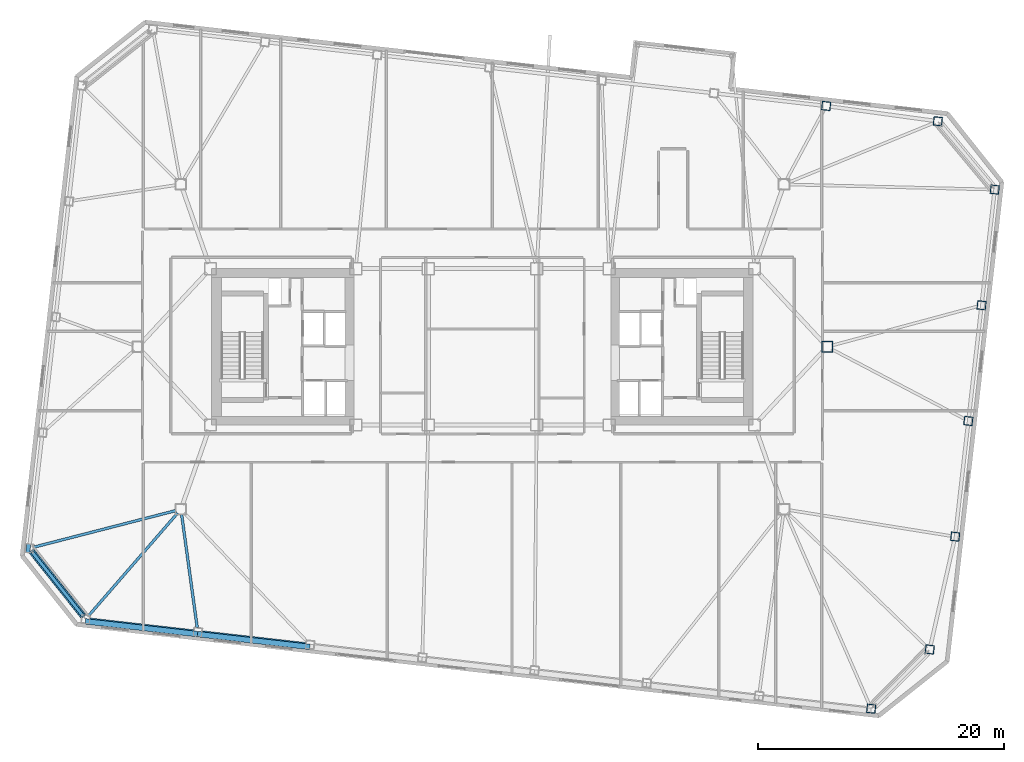
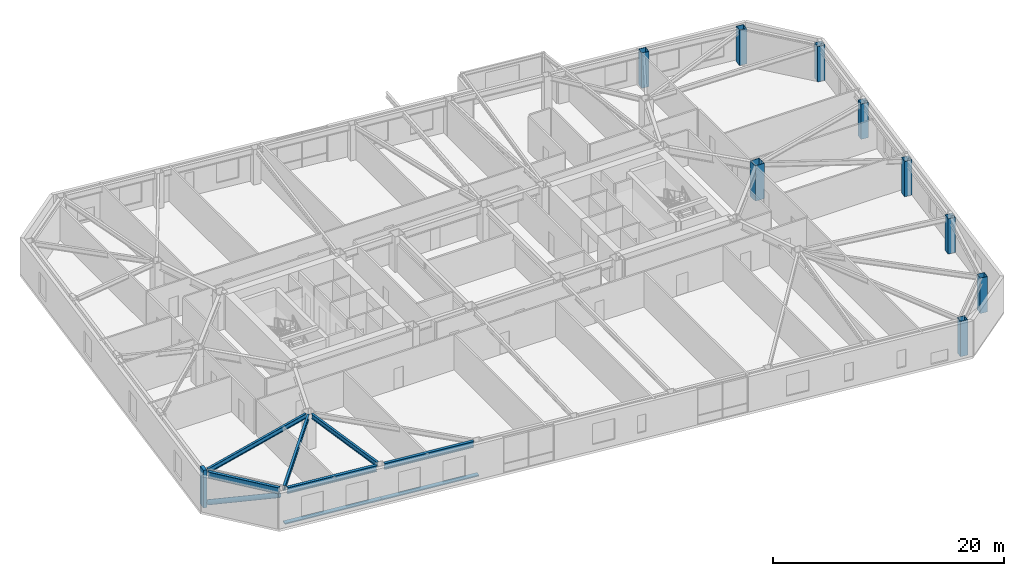
# One storey, part 3 of 21: 9 columns, 6 beams, 4 members.
"""IFC4 building model written with IfcOpenShell, lengths in metres."""

from ifc_helpers import new_model, si_unit, direction, frame, origin, origin_2d, place, context, subcontext, project, spatial, rectangle, hollow_rectangle, hollow_circle, i_section, extrude, material, material_profile, profile_set, type_object, element, save


model = new_model("IFC4")

# Units and contexts
model_context = context("Model", 3, precision=1e-05, world=origin(), true_north=direction((0.0, 1.0)))
body_context = subcontext(model_context, "Body", "Model", "MODEL_VIEW")
ifc_project = project(units=[si_unit("LENGTHUNIT", "METRE"), si_unit("AREAUNIT", "SQUARE_METRE"), si_unit("VOLUMEUNIT", "CUBIC_METRE"), si_unit("PLANEANGLEUNIT", "RADIAN"), si_unit("MASSUNIT", "GRAM", prefix="KILO")], contexts=[model_context])

# Site, building, storey
site_placement = place(None, origin())
site = spatial("IfcSite", under=ifc_project, at=site_placement, CompositionType="ELEMENT")
building_placement = place(site_placement, origin())
building = spatial("IfcBuilding", under=site, at=building_placement, Name="Tavrogorsk Clinical Tower", CompositionType="ELEMENT")
storey_placement = place(building_placement, frame((0.0, 0.0, 121.39990234375)))
storey = spatial("IfcBuildingStorey", under=building, at=storey_placement, Name="L27", CompositionType="ELEMENT", Elevation=121.39990234375)

# Columns
ifc_material_1 = material(Name="Structural steel S440", Category="steel")
ifc_material_profile_1 = material_profile(ifc_material_1, hollow_rectangle(XDim=0.89990234375, YDim=0.89990234375, WallThickness=0.0400390625, at=origin_2d()), Name="BOX-900x900x40")
ifc_profile_set_1 = profile_set([ifc_material_profile_1], Name="Structural steel S440")
column_type_1 = type_object("IfcColumnType", Name="MegaCol_BOX900", PredefinedType="COLUMN", material=ifc_profile_set_1)
column_placement = place(storey_placement, frame((28.0, 0.0, 0.0), z_axis=(0.0, 0.0, 1.0), x_axis=(1.0, 0.0, 0.0)))
element("IfcColumn", 1, at=column_placement, inside=storey, type_object=column_type_1, Name="L27 Spine Pilotis Column MC-P6", PredefinedType="COLUMN", context=body_context, shape_type="SweptSolid", body=[
    extrude(hollow_rectangle(XDim=0.89990234375, YDim=0.89990234375, WallThickness=0.0400390625, at=origin_2d()), origin(), (0.0, 0.0, 1.0), 3.739990234375),
])
ifc_material_2 = material(Name="Structural steel S440", Category="steel")
ifc_material_profile_2 = material_profile(ifc_material_2, hollow_rectangle(XDim=0.699951171875, YDim=0.699951171875, WallThickness=0.031982421875, at=origin_2d()), Name="BOX-700x700x32")
ifc_profile_set_2 = profile_set([ifc_material_profile_2], Name="Structural steel S440")
column_type_2 = type_object("IfcColumnType", Name="PerimCol_B2_BOX700", PredefinedType="COLUMN", material=ifc_profile_set_2)
for number, where, z_axis, x_axis, name in (
    (2, (31.5830078125, -29.40087890625, 0.0), (0.0, 0.0, 1.0), (0.993571855677, -0.113203213768, 0.0), "L27 Perimeter Column S8"),
    (3, (36.99658203125, 18.323486328125, 0.0), (0.0, 0.0, 1.0), (0.993571855677, -0.113203213768, 0.0), "L27 Perimeter Column N1"),
    (4, (27.92578125, 19.567626953125, 0.0), (0.0, 0.0, 1.0), (0.993571855677, -0.113203213768, 0.0), "L27 Perimeter Column N2"),
    (5, (36.335693359375, -24.591796875, 0.0), (0.0, 0.0, 1.0), (0.993571855677, -0.113203213768, 0.0), "L27 Perimeter Column E1"),
    (6, (38.4091796875, -15.423828125, 0.0), (0.0, 0.0, 1.0), (0.993571855677, -0.113203213768, 0.0), "L27 Perimeter Column E2"),
    (7, (39.47998046875, -6.024658203125, 0.0), (0.0, 0.0, 1.0), (0.993571855677, -0.113203213768, 0.0), "L27 Perimeter Column E3"),
    (8, (40.551025390625, 3.37451171875, 0.0), (0.0, 0.0, 1.0), (0.993571855677, -0.113203213768, 0.0), "L27 Perimeter Column E4"),
    (9, (41.621826171875, 12.773681640625, 0.0), (0.0, 0.0, 1.0), (0.993571855677, -0.113203213768, 0.0), "L27 Perimeter Column E5"),
):
    element("IfcColumn", number, at=place(storey_placement, frame(where, z_axis=z_axis, x_axis=x_axis)), inside=storey, type_object=column_type_2, Name=name, PredefinedType="COLUMN", context=body_context, shape_type="SweptSolid", body=[
        extrude(hollow_rectangle(XDim=0.699951171875, YDim=0.699951171875, WallThickness=0.031982421875, at=origin_2d()), origin(), (0.0, 0.0, 1.0), 3.739990234375),
    ])

# Members
ifc_material_3 = material(Name="Anodised aluminium alloy AW-6063", Category="aluminium")
ifc_material_profile_3 = material_profile(ifc_material_3, rectangle(XDim=0.449951171875, YDim=0.1201171875, at=origin_2d()), Name="ALU-SUNSHADE-450x120")
ifc_profile_set_3 = profile_set([ifc_material_profile_3], Name="Anodised aluminium alloy AW-6063")
member_type_1 = type_object("IfcMemberType", Name="ChicagoSunshade_450x120", PredefinedType="USERDEFINED", material=ifc_profile_set_3)
for number, where, z_axis, x_axis, name in (
    (10, (-32.264404296875, -22.3076171875, 0.18017578125), (0.993572654864, -0.113196199166, 0.0), (0.113196199166, 0.993572654864, 0.0), "L27 South Aluminium Sunshade S1"),
    (11, (-23.146240234375, -23.346435546875, 0.18017578125), (0.993569662511, -0.113222461274, 0.0), (0.113222461274, 0.993569662511, 0.0), "L27 South Aluminium Sunshade S2"),
):
    element("IfcMember", number, at=place(storey_placement, frame(where, z_axis=z_axis, x_axis=x_axis)), inside=storey, type_object=member_type_1, Name=name, ObjectType="SUNSHADE", PredefinedType="USERDEFINED", context=body_context, shape_type="SweptSolid", body=[
        extrude(rectangle(XDim=0.449951171875, YDim=0.1201171875, at=origin_2d()), origin(), (0.0, 0.0, 1.0), 9.17724609375),
    ])
ifc_material_4 = material(Name="Structural steel S440", Category="steel")
ifc_material_profile_4 = material_profile(ifc_material_4, hollow_circle(Radius=0.25390625, WallThickness=0.02001953125, at=origin_2d()), Name="CHS-508x20")
ifc_profile_set_4 = profile_set([ifc_material_profile_4], Name="Structural steel S440")
member_type_2 = type_object("IfcMemberType", Name="ExoBrace_CHS508", PredefinedType="BRACE", material=ifc_profile_set_4)
member_1_placement = place(storey_placement, frame((-36.613037109375, -16.63623046875, 0.425048828125), z_axis=(0.583326985798, -0.73336936718, 0.349140371371), x_axis=(0.782619256143, 0.622500682662, 0.0)))
element("IfcMember", 12, at=member_1_placement, inside=storey, type_object=member_type_2, Name="L27 Corner Exoskeleton Brace W5-S1", PredefinedType="BRACE", context=body_context, shape_type="SweptSolid", body=[
    extrude(hollow_circle(Radius=0.25390625, WallThickness=0.02001953125, at=origin_2d()), origin(), (0.0, 0.0, 1.0), 7.1318359375),
])

# Beams
ifc_material_5 = material(Name="Structural steel S355", Category="steel")
ifc_material_profile_5 = material_profile(ifc_material_5, i_section(OverallWidth=0.219970703125, OverallDepth=0.5, WebThickness=0.012939453125, FlangeThickness=0.02001953125, at=origin_2d()), Name="B-500x220x13x20")
ifc_profile_set_5 = profile_set([ifc_material_profile_5], Name="Structural steel S355")
beam_type_1 = type_object("IfcBeamType", Name="FloorBeam_B500", PredefinedType="BEAM", material=ifc_profile_set_5)
beam_1_placement = place(storey_placement, frame((-24.7685546875, -13.509765625, 3.489990234375), z_axis=(-0.655213926096, -0.755443387058, 0.0), x_axis=(0.755443387058, -0.655213926096, 0.0)))
element("IfcBeam", 13, at=beam_1_placement, inside=storey, type_object=beam_type_1, Name="L27 Radial Floor Beam S1", PredefinedType="BEAM", context=body_context, shape_type="SweptSolid", body=[
    extrude(i_section(OverallWidth=0.219970703125, OverallDepth=0.5, WebThickness=0.012939453125, FlangeThickness=0.02001953125, at=origin_2d()), origin(), (0.0, 0.0, 1.0), 11.05126953125),
])
beam_2_placement = place(storey_placement, frame((-24.444091796875, -13.606201171875, 3.489990234375), z_axis=(0.136572505989, -0.990630077581, 0.0), x_axis=(0.990630077581, 0.136572505989, 0.0)))
element("IfcBeam", 14, at=beam_2_placement, inside=storey, type_object=beam_type_1, Name="L27 Radial Floor Beam S2", PredefinedType="BEAM", context=body_context, shape_type="SweptSolid", body=[
    extrude(i_section(OverallWidth=0.219970703125, OverallDepth=0.5, WebThickness=0.012939453125, FlangeThickness=0.02001953125, at=origin_2d()), origin(), (0.0, 0.0, 1.0), 9.2939453125),
])
beam_3_placement = place(storey_placement, frame((-24.89697265625, -13.30224609375, 3.489990234375), z_axis=(-0.968393085087, -0.24942901346, 0.0), x_axis=(0.24942901346, -0.968393085087, 0.0)))
element("IfcBeam", 15, at=beam_3_placement, inside=storey, type_object=beam_type_1, Name="L27 Radial Floor Beam W5", PredefinedType="BEAM", context=body_context, shape_type="SweptSolid", body=[
    extrude(i_section(OverallWidth=0.219970703125, OverallDepth=0.5, WebThickness=0.012939453125, FlangeThickness=0.02001953125, at=origin_2d()), origin(), (0.0, 0.0, 1.0), 11.9560546875),
])

# Member
ifc_material_6 = material(Name="Precast concrete B45 with limestone cladding", Category="masonry")
ifc_material_profile_6 = material_profile(ifc_material_6, rectangle(XDim=0.320068359375, YDim=0.719970703125, at=origin_2d()), Name="LIMESTONE-FIN-320x720")
ifc_profile_set_6 = profile_set([ifc_material_profile_6], Name="Precast concrete B45 with limestone cladding")
member_type_3 = type_object("IfcMemberType", Name="LimestonePleatFin_320x720", PredefinedType="USERDEFINED", material=ifc_profile_set_6)
member_2_placement = place(storey_placement, frame((-36.9013671875, -16.364501953125, 0.0), z_axis=(0.0, 0.0, 1.0), x_axis=(0.993571855677, -0.113203213768, 0.0)))
element("IfcMember", 16, at=member_2_placement, inside=storey, type_object=member_type_3, Name="L27 W Pleated Stone Fin 4", ObjectType="FIN", PredefinedType="USERDEFINED", context=body_context, shape_type="SweptSolid", body=[
    extrude(rectangle(XDim=0.320068359375, YDim=0.719970703125, at=origin_2d()), origin(), (0.0, 0.0, 1.0), 4.0),
])

# Beams
ifc_material_7 = material(Name="Structural steel S390", Category="steel")
ifc_material_profile_7 = material_profile(ifc_material_7, i_section(OverallWidth=0.280029296875, OverallDepth=0.64990234375, WebThickness=0.01611328125, FlangeThickness=0.02490234375, at=origin_2d()), Name="B-650x280x16x25")
ifc_profile_set_7 = profile_set([ifc_material_profile_7], Name="Structural steel S390")
beam_type_2 = type_object("IfcBeamType", Name="SpandrelBeam_B650", PredefinedType="SPANDREL", material=ifc_profile_set_7)
beam_4_placement = place(storey_placement, frame((-31.88818359375, -22.16943359375, 3.4150390625), z_axis=(0.99357232562, -0.113199089054, 0.0), x_axis=(0.113199089054, 0.99357232562, 0.0)))
element("IfcBeam", 17, at=beam_4_placement, inside=storey, type_object=beam_type_2, Name="L27 Perimeter Spandrel S1-S2", PredefinedType="SPANDREL", context=body_context, shape_type="SweptSolid", body=[
    extrude(i_section(OverallWidth=0.280029296875, OverallDepth=0.64990234375, WebThickness=0.01611328125, FlangeThickness=0.02490234375, at=origin_2d()), origin(), (0.0, 0.0, 1.0), 8.4609375),
])
beam_5_placement = place(storey_placement, frame((-22.770263671875, -23.208251953125, 3.4150390625), z_axis=(0.99357306506, -0.113192598642, 0.0), x_axis=(0.113192598642, 0.99357306506, 0.0)))
element("IfcBeam", 18, at=beam_5_placement, inside=storey, type_object=beam_type_2, Name="L27 Perimeter Spandrel S2-S3", PredefinedType="SPANDREL", context=body_context, shape_type="SweptSolid", body=[
    extrude(i_section(OverallWidth=0.280029296875, OverallDepth=0.64990234375, WebThickness=0.01611328125, FlangeThickness=0.02490234375, at=origin_2d()), origin(), (0.0, 0.0, 1.0), 8.46142578125),
])
beam_6_placement = place(storey_placement, frame((-36.59912109375, -16.65380859375, 3.4150390625), z_axis=(0.622530733212, -0.782595352788, 0.0), x_axis=(0.782595352788, 0.622530733212, 0.0)))
element("IfcBeam", 19, at=beam_6_placement, inside=storey, type_object=beam_type_2, Name="L27 Perimeter Spandrel W5-S1", PredefinedType="SPANDREL", context=body_context, shape_type="SweptSolid", body=[
    extrude(i_section(OverallWidth=0.280029296875, OverallDepth=0.64990234375, WebThickness=0.01611328125, FlangeThickness=0.02490234375, at=origin_2d()), origin(), (0.0, 0.0, 1.0), 6.637939453125),
])

save(model, "model.ifc")
